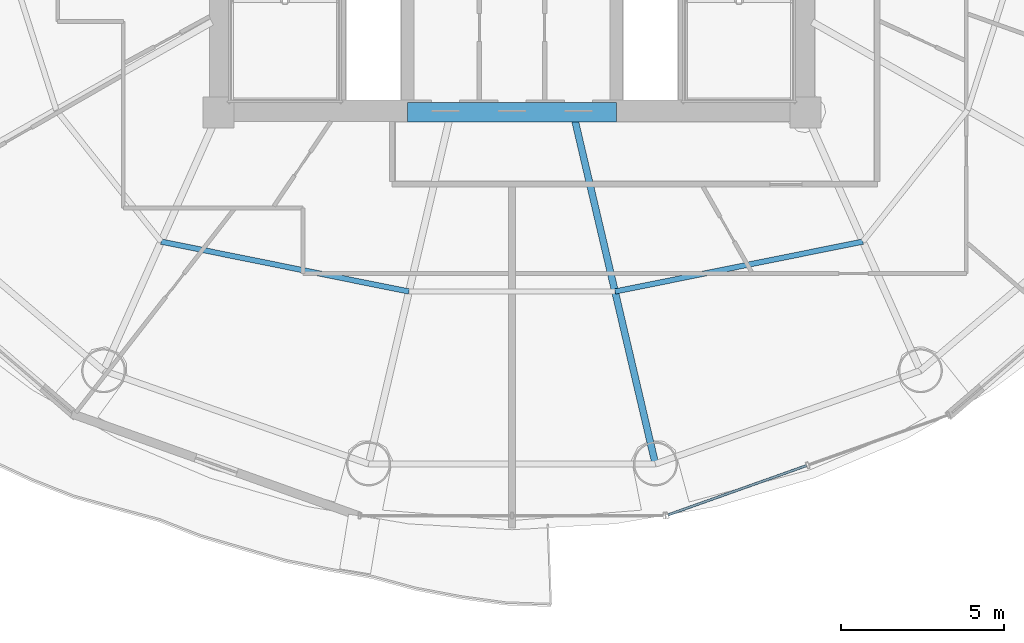
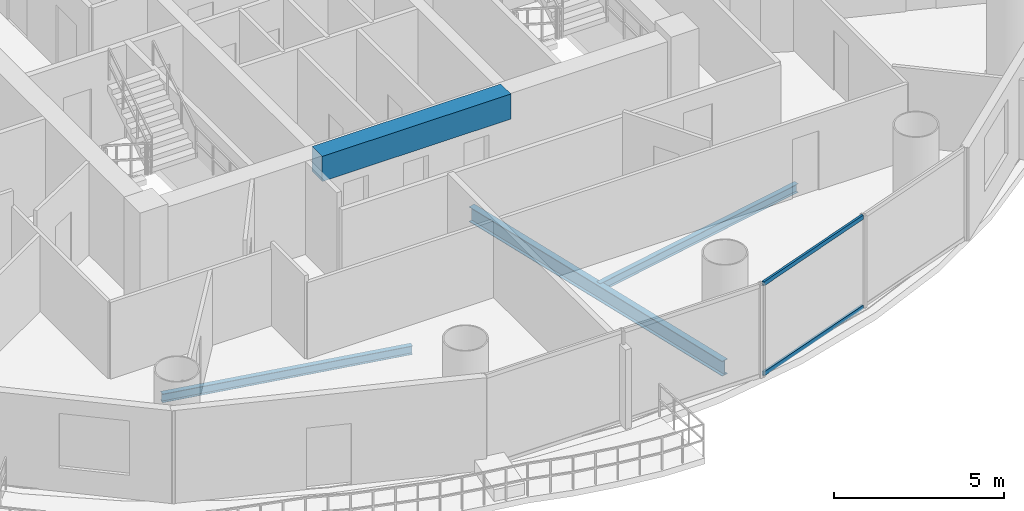
# One storey, part 5 of 26: 4 beams, 2 members, 1 element without a shape of its own.
"""IFC4 building model written with IfcOpenShell, lengths in metres."""

from ifc_helpers import new_model, si_unit, direction, frame, origin, origin_2d, place, context, subcontext, project, spatial, rectangle, hollow_rectangle, i_section, extrude, source, transform, mapped, material, material_profile, profile_set, type_object, element, aggregate, save


model = new_model("IFC4")

# Units and contexts
model_context = context("Model", 3, precision=1e-05, world=origin(), true_north=direction((-0.2419218956, 0.970295726276)))
body_context = subcontext(model_context, "Body", "Model", "MODEL_VIEW")
ifc_project = project(units=[si_unit("LENGTHUNIT", "METRE"), si_unit("AREAUNIT", "SQUARE_METRE"), si_unit("VOLUMEUNIT", "CUBIC_METRE"), si_unit("PLANEANGLEUNIT", "RADIAN"), si_unit("MASSUNIT", "GRAM", prefix="KILO")], contexts=[model_context])

# Site, building, storey
site_placement = place(None, origin())
site = spatial("IfcSite", under=ifc_project, at=site_placement, CompositionType="ELEMENT")
building_placement = place(site_placement, origin())
building = spatial("IfcBuilding", under=site, at=building_placement, Name="Cobrevalo Terracotta Tower", CompositionType="ELEMENT")
storey_placement = place(building_placement, frame((0.0, 0.0, 175.0)))
storey = spatial("IfcBuildingStorey", under=building, at=storey_placement, Name="L46", CompositionType="ELEMENT", Elevation=175.0)

# Beams
ifc_material_1 = material(Name="Concrete C60", Category="concrete")
ifc_material_profile_1 = material_profile(ifc_material_1, rectangle(XDim=0.60009765625, YDim=0.89990234375, at=origin_2d()), Name="RC CB 600x900")
ifc_profile_set_1 = profile_set([ifc_material_profile_1], Name="Concrete C60")
beam_type_1 = type_object("IfcBeamType", Name="Structural Beam RC CB 600x900 (Concrete C60)", PredefinedType="BEAM", material=ifc_profile_set_1)
beam_1_placement = place(storey_placement, frame((34.800048828125, 18.800048828125, 2.8798828125), z_axis=(1.0, 0.0, 0.0), x_axis=(0.0, 1.0, 0.0)))
element("IfcBeam", 1, at=beam_1_placement, inside=storey, type_object=beam_type_1, Name="L46 core coupling beam 1", PredefinedType="BEAM", context=body_context, shape_type="SweptSolid", body=[
    extrude(rectangle(XDim=0.60009765625, YDim=0.89990234375, at=origin_2d()), origin(), (0.0, 0.0, 1.0), 6.39990234375),
])
ifc_material_2 = material(Name="Steel S355", Category="steel")
ifc_material_profile_2 = material_profile(ifc_material_2, i_section(OverallWidth=0.2109375, OverallDepth=0.5390625, WebThickness=0.01171875, FlangeThickness=0.018798828125, at=origin_2d()), Name="W 530x109")
ifc_profile_set_2 = profile_set([ifc_material_profile_2], Name="Steel S355")
beam_type_2 = type_object("IfcBeamType", Name="Structural Beam W 530x109 (Steel S355)", PredefinedType="BEAM", material=ifc_profile_set_2)
beam_2_placement = place(storey_placement, frame((42.399169921875, 8.01806640625, -0.53955078125), z_axis=(-0.228045854186, 0.973650393308, 0.0), x_axis=(-0.973650393308, -0.228045854186, 0.0)))
element("IfcBeam", 2, at=beam_2_placement, inside=storey, type_object=beam_type_2, Name="L46 radial floor girder 13", PredefinedType="BEAM", context=body_context, shape_type="SweptSolid", body=[
    extrude(i_section(OverallWidth=0.2109375, OverallDepth=0.5390625, WebThickness=0.01171875, FlangeThickness=0.018798828125, at=origin_2d()), origin(), (0.0, 0.0, 1.0), 10.863037109375),
])
ifc_material_profile_3 = material_profile(ifc_material_2, i_section(OverallWidth=0.1650390625, OverallDepth=0.31005859375, WebThickness=0.005859375, FlangeThickness=0.009765625, at=origin_2d()), Name="W 310x38.7")
ifc_profile_set_3 = profile_set([ifc_material_profile_3], Name="Steel S355")
beam_type_3 = type_object("IfcBeamType", Name="Structural Joist W 310x38.7 (Steel S355)", PredefinedType="JOIST", material=ifc_profile_set_3)
for number, where, z_axis, x_axis, name in (
    (3, (27.23583984375, 14.838623046875, -0.425048828125), (0.980293928329, -0.197544461026, 0.0), (0.197544461026, 0.980293928329, 0.0), "L46 circumferential secondary floor joist 11"),
    (4, (41.16064453125, 13.306396484375, -0.425048828125), (0.980293928329, 0.197544461026, 0.0), (-0.197544461026, 0.980293928329, 0.0), "L46 circumferential secondary floor joist 13"),
):
    element("IfcBeam", number, at=place(storey_placement, frame(where, z_axis=z_axis, x_axis=x_axis)), inside=storey, type_object=beam_type_3, Name=name, PredefinedType="JOIST", context=body_context, shape_type="SweptSolid", body=[
        extrude(i_section(OverallWidth=0.1650390625, OverallDepth=0.31005859375, WebThickness=0.005859375, FlangeThickness=0.009765625, at=origin_2d()), origin(), (0.0, 0.0, 1.0), 7.75634765625),
    ])

# Curtain wall, members
ifc_material_3 = material(Name="Anodized aluminium", Category="aluminium")
curtain_wall_type = type_object("IfcCurtainWallType", Name="Mid-tower high-wind unitised curtain wall CW-U2", PredefinedType="NOTDEFINED", material=ifc_material_3)
curtain_wall_placement = place(storey_placement, origin())
curtain_wall = element("IfcCurtainWall", 5, at=curtain_wall_placement, inside=storey, type_object=curtain_wall_type, Name="L46 curtain wall CW-L46-S13", PredefinedType="NOTDEFINED")
ifc_material_profile_4 = material_profile(ifc_material_3, hollow_rectangle(XDim=0.074951171875, YDim=0.14990234375, WallThickness=0.00439453125, at=origin_2d()), Name="CWT 75x150")
ifc_profile_set_4 = profile_set([ifc_material_profile_4], Name="Anodized aluminium")
member_type = type_object("IfcMemberType", Name="Tower unitised aluminium transom 75x150", PredefinedType="USERDEFINED", material=ifc_profile_set_4)
shared_shape = source(origin(), body_context, "Body", "SweptSolid", [
    extrude(hollow_rectangle(XDim=0.074951171875, YDim=0.14990234375, WallThickness=0.00439453125, at=origin_2d()), origin(), (0.0, 0.0, 1.0), 4.50390625),
])
member_1_placement = place(storey_placement, frame((42.790771484375, 6.455810546875, 0.050048828125), z_axis=(0.942087248155, 0.335367882873, 0.0), x_axis=(-0.335367882873, 0.942087248155, 0.0)))
member_1 = element("IfcMember", 6, at=member_1_placement, type_object=member_type, Name="CW-L46-S13 transom B01-T1", ObjectType="TRANSOM", PredefinedType="USERDEFINED", context=body_context, shape_type="MappedRepresentation", body=[
    mapped(shared_shape, transform((0.0, 0.0, 0.0), scale=1.0)),
])
member_2_placement = place(storey_placement, frame((42.790771484375, 6.455810546875, 3.280029296875), z_axis=(0.942087248155, 0.335367882873, 0.0), x_axis=(-0.335367882873, 0.942087248155, 0.0)))
member_2 = element("IfcMember", 7, at=member_2_placement, type_object=member_type, Name="CW-L46-S13 transom B01-T2", ObjectType="TRANSOM", PredefinedType="USERDEFINED", context=body_context, shape_type="MappedRepresentation", body=[
    mapped(shared_shape, transform((0.0, 0.0, 0.0), scale=1.0)),
])
aggregate(curtain_wall, [member_1, member_2])

save(model, "model.ifc")
